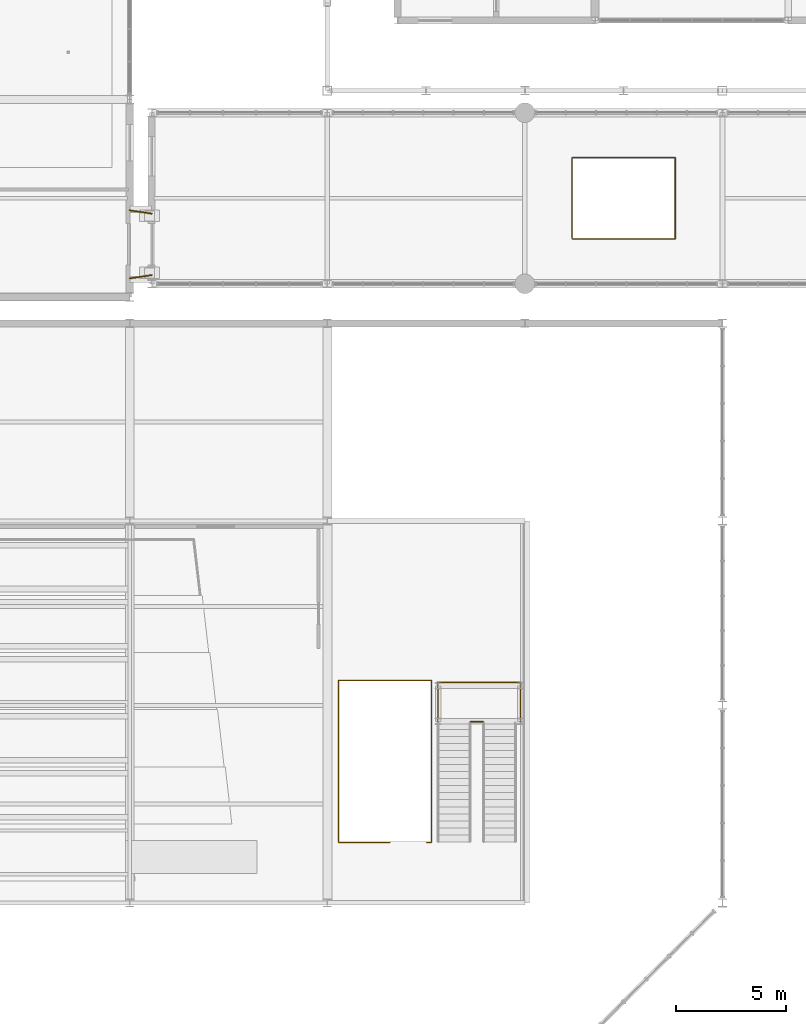
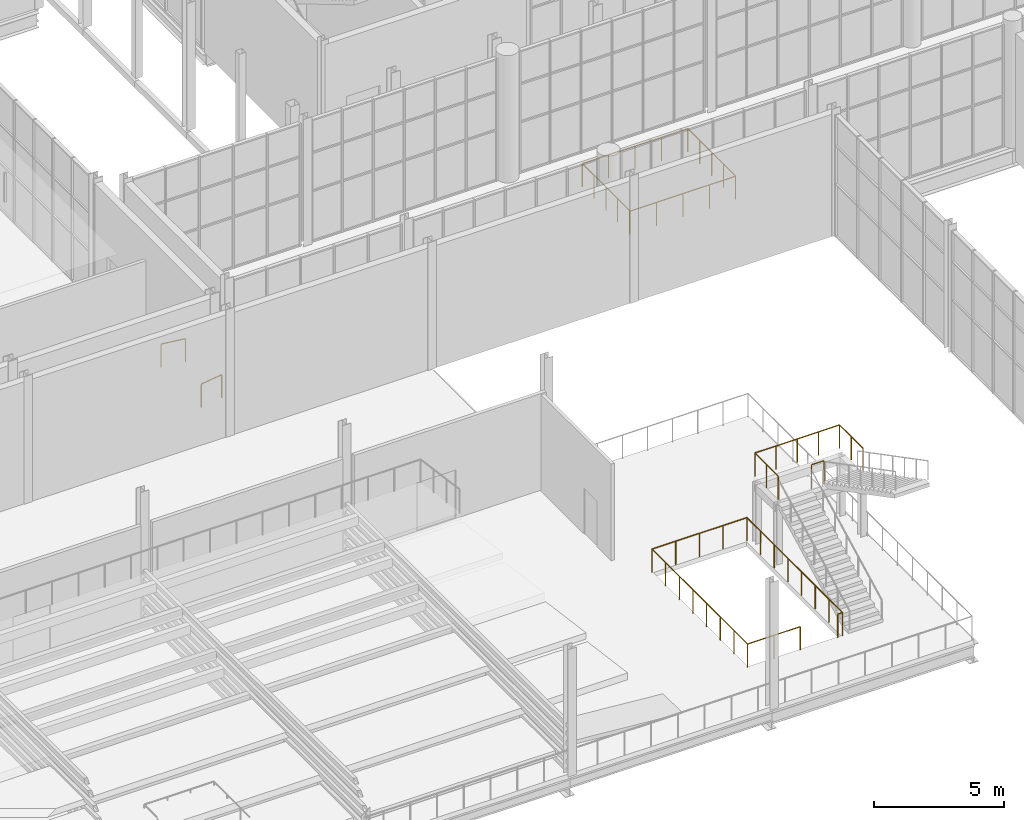
# One storey, part 143 of 159: 6 railings.
"""IFC4 building model written with IfcOpenShell, lengths in metres."""

from ifc_helpers import new_model, si_unit, direction, frame, origin, origin_2d, place, context, subcontext, project, spatial, circle, extrude, material, type_object, element, save


model = new_model("IFC4")

# Units and contexts
model_context = context("Model", 3, precision=1e-05, world=origin(), true_north=direction((0.0, 1.0)))
body_context = subcontext(model_context, "Body", "Model", "MODEL_VIEW")
ifc_project = project(units=[si_unit("LENGTHUNIT", "METRE"), si_unit("AREAUNIT", "SQUARE_METRE"), si_unit("VOLUMEUNIT", "CUBIC_METRE"), si_unit("PLANEANGLEUNIT", "RADIAN"), si_unit("MASSUNIT", "GRAM", prefix="KILO")], contexts=[model_context])

# Site, building, storey
site_placement = place(None, origin())
site = spatial("IfcSite", under=ifc_project, at=site_placement, CompositionType="ELEMENT")
building_placement = place(site_placement, origin())
building = spatial("IfcBuilding", under=site, at=building_placement, Name="Cazmaro Siding Exhibition Halls", CompositionType="ELEMENT")
storey_placement = place(building_placement, frame((0.0, 0.0, 6.0)))
storey = spatial("IfcBuildingStorey", under=building, at=storey_placement, Name="L01", CompositionType="ELEMENT", Elevation=6.0)

# Railings
ifc_material_1 = material(Name="Laminated Glass and Brushed Stainless Steel Balustrade", Category="steel")
railing_type_1 = type_object("IfcRailingType", Name="RL-BAL-01", PredefinedType="BALUSTRADE", material=ifc_material_1)
railing_1_placement = place(storey_placement, frame((36.0, 55.449951171875, 0.0)))
element("IfcRailing", 1, at=railing_1_placement, inside=storey, type_object=railing_type_1, Name="Bridge SB-04 South Guard L01 RL-BAL-01 RL-G025", PredefinedType="BALUSTRADE", context=body_context, shape_type="SweptSolid", body=[
    extrude(circle(Radius=0.02392578125, at=origin_2d()), frame((0.0, 0.0, 1.09619140625), z_axis=(0.988915091775, 0.148482124375, 0.0), x_axis=(-0.148482124375, 0.988915091775, 0.0)), (0.0, 0.0, 1.0), 1.01123046875),
    extrude(circle(Radius=0.02099609375, at=origin_2d()), origin(), (0.0, 0.0, 1.0), 1.072021484375),
    extrude(circle(Radius=0.02099609375, at=origin_2d()), frame((1.0, 0.150146484375, 0.0)), (0.0, 0.0, 1.0), 1.072021484375),
])
railing_2_placement = place(storey_placement, frame((36.0, 58.550048828125, 0.0)))
element("IfcRailing", 2, at=railing_2_placement, inside=storey, type_object=railing_type_1, Name="Bridge SB-04 North Guard L01 RL-BAL-01 RL-G026", PredefinedType="BALUSTRADE", context=body_context, shape_type="SweptSolid", body=[
    extrude(circle(Radius=0.02392578125, at=origin_2d()), frame((0.0, 0.0, 1.09619140625), z_axis=(0.988915091775, -0.148482124375, 0.0), x_axis=(0.148482124375, 0.988915091775, 0.0)), (0.0, 0.0, 1.0), 1.01123046875),
    extrude(circle(Radius=0.02099609375, at=origin_2d()), origin(), (0.0, 0.0, 1.0), 1.072021484375),
    extrude(circle(Radius=0.02099609375, at=origin_2d()), frame((1.0, -0.150146484375, 0.0)), (0.0, 0.0, 1.0), 1.072021484375),
])
ifc_material_2 = material(Name="Interior Laminated Glass and Brushed Stainless Steel Balustrade", Category="steel")
railing_type_2 = type_object("IfcRailingType", Name="RL-BAL-02", PredefinedType="BALUSTRADE", material=ifc_material_2)
railing_3_placement = place(storey_placement, frame((56.14990234375, 57.25, 0.0)))
element("IfcRailing", 3, at=railing_3_placement, inside=storey, type_object=railing_type_2, Name="Concourse Atrium Guard L01 RL-BAL-02 RL-G005", PredefinedType="BALUSTRADE", context=body_context, shape_type="SweptSolid", body=[
    extrude(circle(Radius=0.02392578125, at=origin_2d()), frame((0.0, 0.0, 1.09619140625), z_axis=(1.0, 0.0, 0.0), x_axis=(0.0, 1.0, 0.0)), (0.0, 0.0, 1.0), 4.7001953125),
    extrude(circle(Radius=0.02392578125, at=origin_2d()), frame((4.7001953125, 0.0, 1.09619140625), z_axis=(0.0, 1.0, 0.0), x_axis=(-1.0, 0.0, 0.0)), (0.0, 0.0, 1.0), 3.699951171875),
    extrude(circle(Radius=0.02392578125, at=origin_2d()), frame((4.7001953125, 3.699951171875, 1.09619140625), z_axis=(-1.0, 0.0, 0.0), x_axis=(0.0, -1.0, 0.0)), (0.0, 0.0, 1.0), 4.7001953125),
    extrude(circle(Radius=0.02392578125, at=origin_2d()), frame((0.0, 3.699951171875, 1.09619140625), z_axis=(0.0, -1.0, 0.0), x_axis=(1.0, 0.0, 0.0)), (0.0, 0.0, 1.0), 3.639892578125),
    extrude(circle(Radius=0.02099609375, at=origin_2d()), origin(), (0.0, 0.0, 1.0), 1.072021484375),
    extrude(circle(Radius=0.02099609375, at=origin_2d()), frame((1.175048828125, 0.0, 0.0)), (0.0, 0.0, 1.0), 1.072021484375),
    extrude(circle(Radius=0.02099609375, at=origin_2d()), frame((2.35009765625, 0.0, 0.0)), (0.0, 0.0, 1.0), 1.072021484375),
    extrude(circle(Radius=0.02099609375, at=origin_2d()), frame((3.525146484375, 0.0, 0.0)), (0.0, 0.0, 1.0), 1.072021484375),
    extrude(circle(Radius=0.02099609375, at=origin_2d()), frame((4.7001953125, 0.0, 0.0)), (0.0, 0.0, 1.0), 1.072021484375),
    extrude(circle(Radius=0.02099609375, at=origin_2d()), frame((4.7001953125, 0.925048828125, 0.0)), (0.0, 0.0, 1.0), 1.072021484375),
    extrude(circle(Radius=0.02099609375, at=origin_2d()), frame((4.7001953125, 1.85009765625, 0.0)), (0.0, 0.0, 1.0), 1.072021484375),
    extrude(circle(Radius=0.02099609375, at=origin_2d()), frame((4.7001953125, 2.77490234375, 0.0)), (0.0, 0.0, 1.0), 1.072021484375),
    extrude(circle(Radius=0.02099609375, at=origin_2d()), frame((4.7001953125, 3.699951171875, 0.0)), (0.0, 0.0, 1.0), 1.072021484375),
    extrude(circle(Radius=0.02099609375, at=origin_2d()), frame((3.525146484375, 3.699951171875, 0.0)), (0.0, 0.0, 1.0), 1.072021484375),
    extrude(circle(Radius=0.02099609375, at=origin_2d()), frame((2.35009765625, 3.699951171875, 0.0)), (0.0, 0.0, 1.0), 1.072021484375),
    extrude(circle(Radius=0.02099609375, at=origin_2d()), frame((1.175048828125, 3.699951171875, 0.0)), (0.0, 0.0, 1.0), 1.072021484375),
    extrude(circle(Radius=0.02099609375, at=origin_2d()), frame((0.0, 3.699951171875, 0.0)), (0.0, 0.0, 1.0), 1.072021484375),
    extrude(circle(Radius=0.02099609375, at=origin_2d()), frame((0.0, 2.7900390625, 0.0)), (0.0, 0.0, 1.0), 1.072021484375),
    extrude(circle(Radius=0.02099609375, at=origin_2d()), frame((0.0, 1.8798828125, 0.0)), (0.0, 0.0, 1.0), 1.072021484375),
    extrude(circle(Radius=0.02099609375, at=origin_2d()), frame((0.0, 0.969970703125, 0.0)), (0.0, 0.0, 1.0), 1.072021484375),
    extrude(circle(Radius=0.02099609375, at=origin_2d()), frame((0.0, 0.06005859375, 0.0)), (0.0, 0.0, 1.0), 1.072021484375),
])
ifc_material_3 = material(Name="Painted Steel Stairwell Guardrail", Category="steel")
railing_type_3 = type_object("IfcRailingType", Name="RL-GRD-01", PredefinedType="GUARDRAIL", material=ifc_material_3)
railing_4_placement = place(storey_placement, frame((47.85498046875, 29.760009765625, 0.0)))
element("IfcRailing", 4, at=railing_4_placement, inside=storey, type_object=railing_type_3, Name="ST-26 Upper Stairwell Guard RL-GRD-01 RL-SG057", PredefinedType="GUARDRAIL", context=body_context, shape_type="SweptSolid", body=[
    extrude(circle(Radius=0.02392578125, at=origin_2d()), frame((0.0, 0.0, 1.09619140625), z_axis=(-1.0, 0.0, 0.0), x_axis=(0.0, -1.0, 0.0)), (0.0, 0.0, 1.0), 2.344970703125),
    extrude(circle(Radius=0.02392578125, at=origin_2d()), frame((-2.344970703125, 0.0, 1.09619140625), z_axis=(0.0, 1.0, 0.0), x_axis=(-1.0, 0.0, 0.0)), (0.0, 0.0, 1.0), 7.3798828125),
    extrude(circle(Radius=0.02392578125, at=origin_2d()), frame((-2.344970703125, 7.3798828125, 1.09619140625), z_axis=(1.0, 0.0, 0.0), x_axis=(0.0, 1.0, 0.0)), (0.0, 0.0, 1.0), 4.22998046875),
    extrude(circle(Radius=0.02392578125, at=origin_2d()), frame((1.885009765625, 7.3798828125, 1.09619140625), z_axis=(0.0, -1.0, 0.0), x_axis=(1.0, 0.0, 0.0)), (0.0, 0.0, 1.0), 7.3798828125),
    extrude(circle(Radius=0.02392578125, at=origin_2d()), frame((1.885009765625, 0.0, 1.09619140625), z_axis=(-1.0, 0.0, 0.0), x_axis=(0.0, -1.0, 0.0)), (0.0, 0.0, 1.0), 0.215087890625),
    extrude(circle(Radius=0.02099609375, at=origin_2d()), origin(), (0.0, 0.0, 1.0), 1.072021484375),
    extrude(circle(Radius=0.02099609375, at=origin_2d()), frame((-1.17236328125, 0.0, 0.0)), (0.0, 0.0, 1.0), 1.072021484375),
    extrude(circle(Radius=0.02099609375, at=origin_2d()), frame((-2.344970703125, 0.0, 0.0)), (0.0, 0.0, 1.0), 1.072021484375),
    extrude(circle(Radius=0.02099609375, at=origin_2d()), frame((-2.344970703125, 1.05419921875, 0.0)), (0.0, 0.0, 1.0), 1.072021484375),
    extrude(circle(Radius=0.02099609375, at=origin_2d()), frame((-2.344970703125, 2.108642578125, 0.0)), (0.0, 0.0, 1.0), 1.072021484375),
    extrude(circle(Radius=0.02099609375, at=origin_2d()), frame((-2.344970703125, 3.162841796875, 0.0)), (0.0, 0.0, 1.0), 1.072021484375),
    extrude(circle(Radius=0.02099609375, at=origin_2d()), frame((-2.344970703125, 4.217041015625, 0.0)), (0.0, 0.0, 1.0), 1.072021484375),
    extrude(circle(Radius=0.02099609375, at=origin_2d()), frame((-2.344970703125, 5.271240234375, 0.0)), (0.0, 0.0, 1.0), 1.072021484375),
    extrude(circle(Radius=0.02099609375, at=origin_2d()), frame((-2.344970703125, 6.32568359375, 0.0)), (0.0, 0.0, 1.0), 1.072021484375),
    extrude(circle(Radius=0.02099609375, at=origin_2d()), frame((-2.344970703125, 7.3798828125, 0.0)), (0.0, 0.0, 1.0), 1.072021484375),
    extrude(circle(Radius=0.02099609375, at=origin_2d()), frame((-1.28759765625, 7.3798828125, 0.0)), (0.0, 0.0, 1.0), 1.072021484375),
    extrude(circle(Radius=0.02099609375, at=origin_2d()), frame((-0.22998046875, 7.3798828125, 0.0)), (0.0, 0.0, 1.0), 1.072021484375),
    extrude(circle(Radius=0.02099609375, at=origin_2d()), frame((0.82763671875, 7.3798828125, 0.0)), (0.0, 0.0, 1.0), 1.072021484375),
    extrude(circle(Radius=0.02099609375, at=origin_2d()), frame((1.885009765625, 7.3798828125, 0.0)), (0.0, 0.0, 1.0), 1.072021484375),
    extrude(circle(Radius=0.02099609375, at=origin_2d()), frame((1.885009765625, 6.32568359375, 0.0)), (0.0, 0.0, 1.0), 1.072021484375),
    extrude(circle(Radius=0.02099609375, at=origin_2d()), frame((1.885009765625, 5.271240234375, 0.0)), (0.0, 0.0, 1.0), 1.072021484375),
    extrude(circle(Radius=0.02099609375, at=origin_2d()), frame((1.885009765625, 4.217041015625, 0.0)), (0.0, 0.0, 1.0), 1.072021484375),
    extrude(circle(Radius=0.02099609375, at=origin_2d()), frame((1.885009765625, 3.162841796875, 0.0)), (0.0, 0.0, 1.0), 1.072021484375),
    extrude(circle(Radius=0.02099609375, at=origin_2d()), frame((1.885009765625, 2.108642578125, 0.0)), (0.0, 0.0, 1.0), 1.072021484375),
    extrude(circle(Radius=0.02099609375, at=origin_2d()), frame((1.885009765625, 1.05419921875, 0.0)), (0.0, 0.0, 1.0), 1.072021484375),
    extrude(circle(Radius=0.02099609375, at=origin_2d()), frame((1.885009765625, 0.0, 0.0)), (0.0, 0.0, 1.0), 1.072021484375),
    extrude(circle(Radius=0.02099609375, at=origin_2d()), frame((1.669921875, 0.0, 0.0)), (0.0, 0.0, 1.0), 1.072021484375),
])
railing_5_placement = place(storey_placement, frame((51.534912109375, 35.260009765625, 3.0)))
element("IfcRailing", 5, at=railing_5_placement, inside=storey, type_object=railing_type_3, Name="ST-27 Mid-Landing Slot Guard RL-GRD-01 RL-SG058", PredefinedType="GUARDRAIL", context=body_context, shape_type="SweptSolid", body=[
    extrude(circle(Radius=0.02392578125, at=origin_2d()), frame((0.0, 0.0, 1.09619140625), z_axis=(1.0, 0.0, 0.0), x_axis=(0.0, 1.0, 0.0)), (0.0, 0.0, 1.0), 0.550048828125),
    extrude(circle(Radius=0.02099609375, at=origin_2d()), origin(), (0.0, 0.0, 1.0), 1.072021484375),
    extrude(circle(Radius=0.02099609375, at=origin_2d()), frame((0.550048828125, 0.0, 0.0)), (0.0, 0.0, 1.0), 1.072021484375),
])
railing_6_placement = place(storey_placement, frame((50.0400390625, 35.239990234375, 3.0)))
element("IfcRailing", 6, at=railing_6_placement, inside=storey, type_object=railing_type_3, Name="ST-27 Mid-Landing Perimeter Guard RL-GRD-01 RL-SG059", PredefinedType="GUARDRAIL", context=body_context, shape_type="SweptSolid", body=[
    extrude(circle(Radius=0.02392578125, at=origin_2d()), frame((0.0, 0.0, 1.09619140625), z_axis=(0.0, 1.0, 0.0), x_axis=(-1.0, 0.0, 0.0)), (0.0, 0.0, 1.0), 1.800048828125),
    extrude(circle(Radius=0.02392578125, at=origin_2d()), frame((0.0, 1.800048828125, 1.09619140625), z_axis=(1.0, 0.0, 0.0), x_axis=(0.0, 1.0, 0.0)), (0.0, 0.0, 1.0), 3.77001953125),
    extrude(circle(Radius=0.02392578125, at=origin_2d()), frame((3.77001953125, 1.800048828125, 1.09619140625), z_axis=(0.0, -1.0, 0.0), x_axis=(1.0, 0.0, 0.0)), (0.0, 0.0, 1.0), 1.800048828125),
    extrude(circle(Radius=0.02099609375, at=origin_2d()), origin(), (0.0, 0.0, 1.0), 1.072021484375),
    extrude(circle(Radius=0.02099609375, at=origin_2d()), frame((0.0, 0.89990234375, 0.0)), (0.0, 0.0, 1.0), 1.072021484375),
    extrude(circle(Radius=0.02099609375, at=origin_2d()), frame((0.0, 1.800048828125, 0.0)), (0.0, 0.0, 1.0), 1.072021484375),
    extrude(circle(Radius=0.02099609375, at=origin_2d()), frame((0.9423828125, 1.800048828125, 0.0)), (0.0, 0.0, 1.0), 1.072021484375),
    extrude(circle(Radius=0.02099609375, at=origin_2d()), frame((1.885009765625, 1.800048828125, 0.0)), (0.0, 0.0, 1.0), 1.072021484375),
    extrude(circle(Radius=0.02099609375, at=origin_2d()), frame((2.82763671875, 1.800048828125, 0.0)), (0.0, 0.0, 1.0), 1.072021484375),
    extrude(circle(Radius=0.02099609375, at=origin_2d()), frame((3.77001953125, 1.800048828125, 0.0)), (0.0, 0.0, 1.0), 1.072021484375),
    extrude(circle(Radius=0.02099609375, at=origin_2d()), frame((3.77001953125, 0.89990234375, 0.0)), (0.0, 0.0, 1.0), 1.072021484375),
    extrude(circle(Radius=0.02099609375, at=origin_2d()), frame((3.77001953125, 0.0, 0.0)), (0.0, 0.0, 1.0), 1.072021484375),
])

save(model, "model.ifc")
